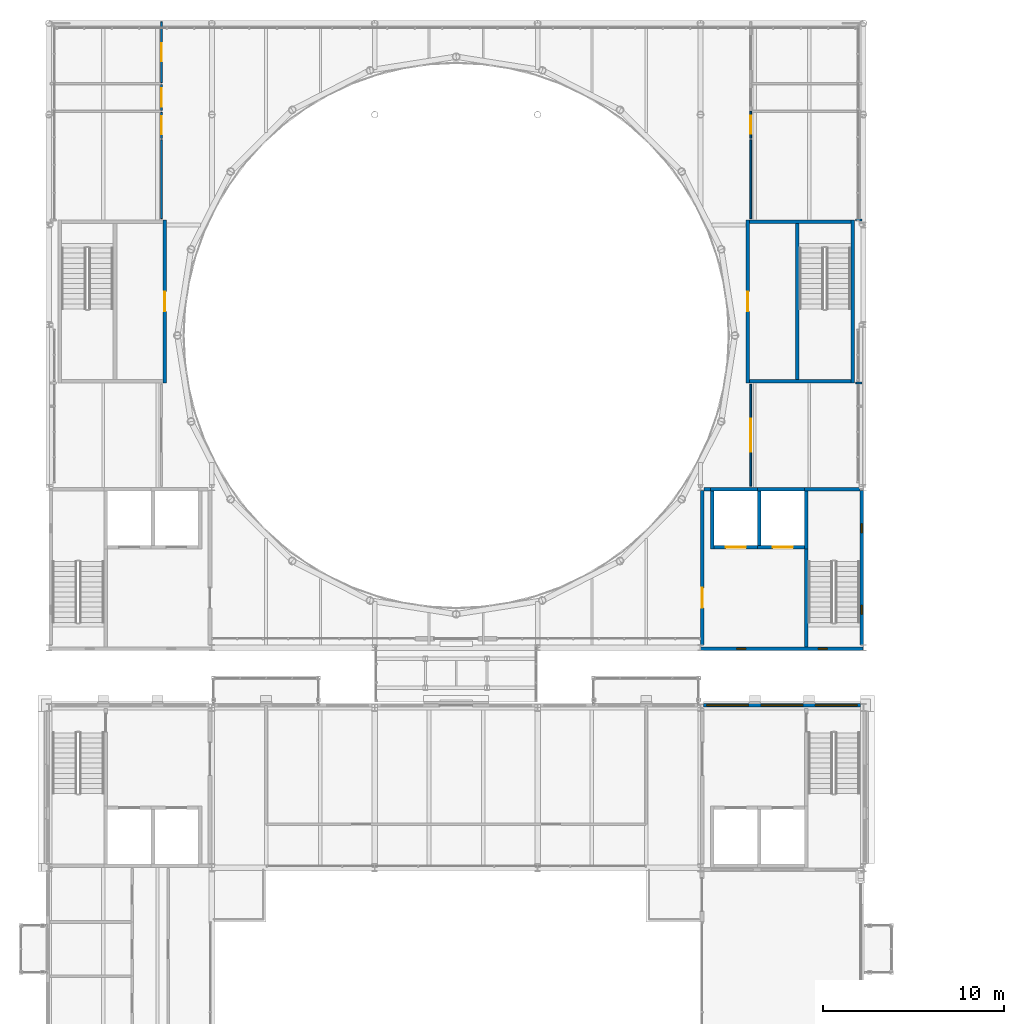
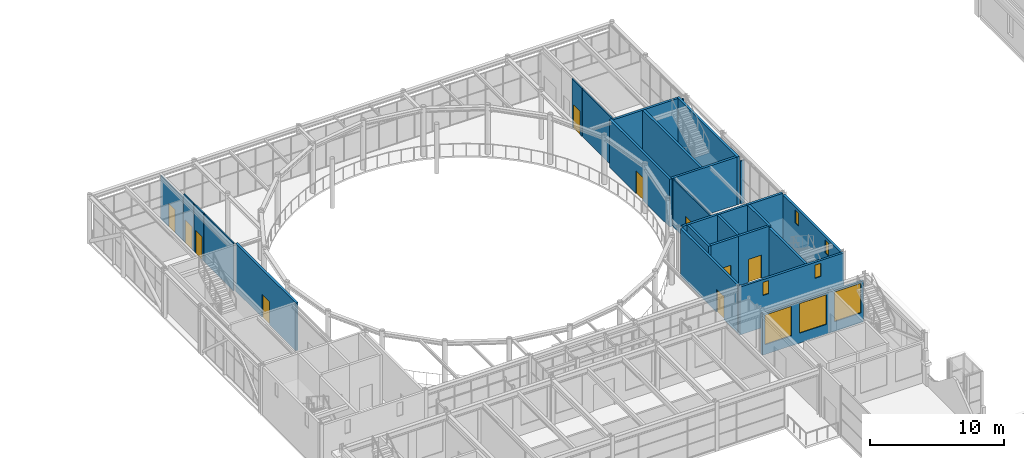
# One storey, part 73 of 111: 29 walls, 10 doors, 7 windows, 17 openings.
"""IFC4 building model written with IfcOpenShell, lengths in metres."""

from ifc_helpers import new_model, si_unit, direction, frame, frame_2d, origin, place, context, subcontext, project, spatial, rectangle, extrude, material, layer, layer_set, type_object, element, fill, save


model = new_model("IFC4")

# Units and contexts
model_context = context("Model", 3, precision=1e-05, world=origin(), true_north=direction((0.0, 1.0)))
body_context = subcontext(model_context, "Body", "Model", "MODEL_VIEW")
ifc_project = project(units=[si_unit("LENGTHUNIT", "METRE"), si_unit("AREAUNIT", "SQUARE_METRE"), si_unit("VOLUMEUNIT", "CUBIC_METRE"), si_unit("PLANEANGLEUNIT", "RADIAN"), si_unit("MASSUNIT", "GRAM", prefix="KILO")], contexts=[model_context])

# Site, building, storey
site_placement = place(None, origin())
site = spatial("IfcSite", under=ifc_project, at=site_placement, CompositionType="ELEMENT")
building_placement = place(site_placement, origin())
building = spatial("IfcBuilding", under=site, at=building_placement, Name="Kallimachos Central Library", CompositionType="ELEMENT")
storey_placement = place(building_placement, frame((0.0, 0.0, 14.39990234375)))
storey = spatial("IfcBuildingStorey", under=building, at=storey_placement, Name="L03", CompositionType="ELEMENT", Elevation=14.39990234375)

# Wall, opening, door
ifc_material_1 = material(Name="Concrete C30/37", Category="concrete")
ifc_layer_1 = layer(ifc_material_1, 0.199951171875)
ifc_layer_set_1 = layer_set([ifc_layer_1], Name="Core wall 200")
wall_type_1 = type_object("IfcWallType", Name="Core wall 200", PredefinedType="SOLIDWALL", material=ifc_layer_set_1)
wall_1_placement = place(storey_placement, frame((101.60009765625, 87.31005859375, 0.0), z_axis=(0.0, 0.0, 1.0), x_axis=(0.0, 1.0, 0.0)))
wall_1 = element("IfcWall", 1, at=wall_1_placement, inside=storey, type_object=wall_type_1, Name="Core wall V1-SE W", PredefinedType="SOLIDWALL", context=body_context, shape_type="SweptSolid", body=[
    extrude(rectangle(XDim=8.530029296875, YDim=0.199951171875, at=frame_2d((4.26513671875, 0.0))), origin(), (0.0, 0.0, 1.0), 4.35009765625),
])
opening_1_placement = place(wall_1_placement, frame((2.0400390625, 0.0, 0.0)))
opening_1 = element("IfcOpeningElement", 2, at=opening_1_placement, cuts=wall_1, Name="Opening D229", PredefinedType="OPENING", context=body_context, shape_type="SweptSolid", body=[
    extrude(rectangle(XDim=1.10009765625, YDim=2.10009765625, at=frame_2d((0.550048828125, 1.050048828125))), frame((0.0, 0.10986328125, 0.0), z_axis=(0.0, -1.0, 0.0), x_axis=(1.0, 0.0, 0.0)), (0.0, 0.0, 1.0), 0.219970703125),
])
ifc_material_2 = material(Name="Steel fire door", Category="steel")
door_type_1 = type_object("IfcDoorType", Name="Fire door EI2 90 1100 x 2100", OperationType="NOTDEFINED", PredefinedType="DOOR", material=ifc_material_2)
door_1_placement = place(opening_1_placement, frame((1.10009765625, 0.0, 0.0), z_axis=(0.0, 0.0, 1.0), x_axis=(-1.0, 0.0, 0.0)))
door_1 = element("IfcDoor", 3, at=door_1_placement, inside=storey, type_object=door_type_1, Name="V1-DOR-L03-007", OperationType="SINGLE_SWING_LEFT", OverallHeight=2.10009765625, OverallWidth=1.10009765625, PredefinedType="DOOR", context=body_context, shape_type="SweptSolid", body=[
    extrude(rectangle(XDim=1.10009765625, YDim=2.10009765625, at=frame_2d((0.550048828125, 1.050048828125))), frame((0.0, 0.02490234375, 0.0), z_axis=(0.0, -1.0, 0.0), x_axis=(1.0, 0.0, 0.0)), (0.0, 0.0, 1.0), 0.050048828125),
])
fill(opening_1, door_1)

# Walls
wall_2_placement = place(storey_placement, frame((101.699951171875, 95.89990234375, 0.0), z_axis=(0.0, 0.0, 1.0), x_axis=(1.0, 0.0, 0.0)))
element("IfcWall", 4, at=wall_2_placement, inside=storey, type_object=wall_type_1, Name="Core wall V1-SE N", PredefinedType="SOLIDWALL", context=body_context, shape_type="SweptSolid", body=[
    extrude(rectangle(XDim=0.35009765625, YDim=0.199951171875, at=frame_2d((0.175048828125, 0.0))), origin(), (0.0, 0.0, 1.0), 4.5),
])
wall_3_placement = place(storey_placement, frame((107.25, 95.89990234375, 0.0), z_axis=(0.0, 0.0, 1.0), x_axis=(1.0, 0.0, 0.0)))
element("IfcWall", 5, at=wall_3_placement, inside=storey, type_object=wall_type_1, Name="Core wall V1-SE N", PredefinedType="SOLIDWALL", context=body_context, shape_type="SweptSolid", body=[
    extrude(rectangle(XDim=3.050048828125, YDim=0.199951171875, at=frame_2d((1.52490234375, 0.0))), origin(), (0.0, 0.0, 1.0), 4.5),
])
wall_4_placement = place(storey_placement, frame((107.35009765625, 87.199951171875, 0.0), z_axis=(0.0, 0.0, 1.0), x_axis=(0.0, 1.0, 0.0)))
element("IfcWall", 6, at=wall_4_placement, inside=storey, type_object=wall_type_1, Name="Stair wall V1-SE", PredefinedType="SOLIDWALL", context=body_context, shape_type="SweptSolid", body=[
    extrude(rectangle(XDim=5.400146484375, YDim=0.199951171875, at=frame_2d((2.7001953125, 0.0))), origin(), (0.0, 0.0, 1.0), 4.35009765625),
])

# Wall, opening, door
wall_5_placement = place(storey_placement, frame((71.89990234375, 101.77490234375, 0.0), z_axis=(0.0, 0.0, 1.0), x_axis=(0.0, 1.0, 0.0)))
wall_5 = element("IfcWall", 7, at=wall_5_placement, inside=storey, type_object=wall_type_1, Name="Core wall V1-NW E", PredefinedType="SOLIDWALL", context=body_context, shape_type="SweptSolid", body=[
    extrude(rectangle(XDim=9.0, YDim=0.199951171875, at=frame_2d((4.5, 0.0))), origin(), (0.0, 0.0, 1.0), 4.35009765625),
])
opening_2_placement = place(wall_5_placement, frame((3.949951171875, 0.0, 0.0)))
opening_2 = element("IfcOpeningElement", 8, at=opening_2_placement, cuts=wall_5, Name="Opening D235", PredefinedType="OPENING", context=body_context, shape_type="SweptSolid", body=[
    extrude(rectangle(XDim=1.10009765625, YDim=2.10009765625, at=frame_2d((0.550048828125, 1.050048828125))), frame((0.0, 0.10986328125, 0.0), z_axis=(0.0, -1.0, 0.0), x_axis=(1.0, 0.0, 0.0)), (0.0, 0.0, 1.0), 0.219970703125),
])
door_2_placement = place(opening_2_placement, origin())
door_2 = element("IfcDoor", 9, at=door_2_placement, inside=storey, type_object=door_type_1, Name="V1-DOR-L03-008", OperationType="SINGLE_SWING_RIGHT", OverallHeight=2.10009765625, OverallWidth=1.10009765625, PredefinedType="DOOR", context=body_context, shape_type="SweptSolid", body=[
    extrude(rectangle(XDim=1.10009765625, YDim=2.10009765625, at=frame_2d((0.550048828125, 1.050048828125))), frame((0.0, 0.02490234375, 0.0), z_axis=(0.0, -1.0, 0.0), x_axis=(1.0, 0.0, 0.0)), (0.0, 0.0, 1.0), 0.050048828125),
])
fill(opening_2, door_2)

wall_6_placement = place(storey_placement, frame((104.10009765625, 101.77490234375, 0.0), z_axis=(0.0, 0.0, 1.0), x_axis=(0.0, 1.0, 0.0)))
wall_6 = element("IfcWall", 10, at=wall_6_placement, inside=storey, type_object=wall_type_1, Name="Core wall V1-NE W", PredefinedType="SOLIDWALL", context=body_context, shape_type="SweptSolid", body=[
    extrude(rectangle(XDim=9.0, YDim=0.199951171875, at=frame_2d((4.5, 0.0))), origin(), (0.0, 0.0, 1.0), 4.35009765625),
])
opening_3_placement = place(wall_6_placement, frame((3.949951171875, 0.0, 0.0)))
opening_3 = element("IfcOpeningElement", 11, at=opening_3_placement, cuts=wall_6, Name="Opening D241", PredefinedType="OPENING", context=body_context, shape_type="SweptSolid", body=[
    extrude(rectangle(XDim=1.10009765625, YDim=2.10009765625, at=frame_2d((0.550048828125, 1.050048828125))), frame((0.0, 0.10986328125, 0.0), z_axis=(0.0, -1.0, 0.0), x_axis=(1.0, 0.0, 0.0)), (0.0, 0.0, 1.0), 0.219970703125),
])
door_3_placement = place(opening_3_placement, frame((1.10009765625, 0.0, 0.0), z_axis=(0.0, 0.0, 1.0), x_axis=(-1.0, 0.0, 0.0)))
door_3 = element("IfcDoor", 12, at=door_3_placement, inside=storey, type_object=door_type_1, Name="V1-DOR-L03-009", OperationType="SINGLE_SWING_LEFT", OverallHeight=2.10009765625, OverallWidth=1.10009765625, PredefinedType="DOOR", context=body_context, shape_type="SweptSolid", body=[
    extrude(rectangle(XDim=1.10009765625, YDim=2.10009765625, at=frame_2d((0.550048828125, 1.050048828125))), frame((0.0, 0.02490234375, 0.0), z_axis=(0.0, -1.0, 0.0), x_axis=(1.0, 0.0, 0.0)), (0.0, 0.0, 1.0), 0.050048828125),
])
fill(opening_3, door_3)

# Walls
wall_7_placement = place(storey_placement, frame((109.89990234375, 101.77490234375, 0.0), z_axis=(0.0, 0.0, 1.0), x_axis=(0.0, 1.0, 0.0)))
element("IfcWall", 13, at=wall_7_placement, inside=storey, type_object=wall_type_1, Name="Core wall V1-NE E", PredefinedType="SOLIDWALL", context=body_context, shape_type="SweptSolid", body=[
    extrude(rectangle(XDim=9.0, YDim=0.199951171875, at=frame_2d((4.5, 0.0))), origin(), (0.0, 0.0, 1.0), 4.35009765625),
])
for number, where, z_axis, x_axis, name in (
    (14, (104.199951171875, 101.875, 0.0), (0.0, 0.0, 1.0), (1.0, 0.0, 0.0), "Core wall V1-NE S"),
    (15, (104.199951171875, 110.675048828125, 0.0), (0.0, 0.0, 1.0), (1.0, 0.0, 0.0), "Core wall V1-NE N"),
):
    element("IfcWall", number, at=place(storey_placement, frame(where, z_axis=z_axis, x_axis=x_axis)), inside=storey, type_object=wall_type_1, Name=name, PredefinedType="SOLIDWALL", context=body_context, shape_type="SweptSolid", body=[
        extrude(rectangle(XDim=5.60009765625, YDim=0.199951171875, at=frame_2d((2.800048828125, 0.0))), origin(), (0.0, 0.0, 1.0), 4.35009765625),
    ])
wall_8_placement = place(storey_placement, frame((106.85009765625, 101.97509765625, 0.0), z_axis=(0.0, 0.0, 1.0), x_axis=(0.0, 1.0, 0.0)))
element("IfcWall", 16, at=wall_8_placement, inside=storey, type_object=wall_type_1, Name="Stair wall V1-NE", PredefinedType="SOLIDWALL", context=body_context, shape_type="SweptSolid", body=[
    extrude(rectangle(XDim=8.599853515625, YDim=0.199951171875, at=frame_2d((4.2998046875, 0.0))), origin(), (0.0, 0.0, 1.0), 4.35009765625),
])
ifc_material_3 = material(Name="Concrete C30/37", Category="concrete")
ifc_layer_2 = layer(ifc_material_3, 0.199951171875)
ifc_layer_set_2 = layer_set([ifc_layer_2], Name="Lift shaft wall 200")
wall_type_2 = type_object("IfcWallType", Name="Lift shaft wall 200", PredefinedType="SOLIDWALL", material=ifc_layer_set_2)
wall_9_placement = place(storey_placement, frame((104.64990234375, 95.89990234375, 0.0), z_axis=(0.0, 0.0, 1.0), x_axis=(1.0, 0.0, 0.0)))
element("IfcWall", 17, at=wall_9_placement, inside=storey, type_object=wall_type_2, Name="V1-WAL-L03-008", PredefinedType="SOLIDWALL", context=body_context, shape_type="SweptSolid", body=[
    extrude(rectangle(XDim=2.60009765625, YDim=0.199951171875, at=frame_2d((1.300048828125, 0.0))), origin(), (0.0, 0.0, 1.0), 4.5),
])

# Wall, opening, door
wall_10_placement = place(storey_placement, frame((104.64990234375, 92.699951171875, 0.0), z_axis=(0.0, 0.0, 1.0), x_axis=(1.0, 0.0, 0.0)))
wall_10 = element("IfcWall", 18, at=wall_10_placement, inside=storey, type_object=wall_type_2, Name="V1-WAL-L03-009", PredefinedType="SOLIDWALL", context=body_context, shape_type="SweptSolid", body=[
    extrude(rectangle(XDim=2.60009765625, YDim=0.199951171875, at=frame_2d((1.300048828125, 0.0))), origin(), (0.0, 0.0, 1.0), 4.5),
])
opening_4_placement = place(wall_10_placement, frame((0.85009765625, 0.0, 0.0)))
opening_4 = element("IfcOpeningElement", 19, at=opening_4_placement, cuts=wall_10, Name="Opening LD1100", PredefinedType="OPENING", context=body_context, shape_type="SweptSolid", body=[
    extrude(rectangle(XDim=1.10009765625, YDim=2.10009765625, at=frame_2d((0.550048828125, 1.050048828125))), frame((0.0, 0.10986328125, 0.0), z_axis=(0.0, -1.0, 0.0), x_axis=(1.0, 0.0, 0.0)), (0.0, 0.0, 1.0), 0.219970703125),
])
ifc_material_4 = material(Name="Stainless steel", Category="steel")
door_type_2 = type_object("IfcDoorType", Name="Lift landing door 1100 x 2100", OperationType="SLIDING_TO_LEFT", PredefinedType="DOOR", material=ifc_material_4)
door_4_placement = place(opening_4_placement, origin())
door_4 = element("IfcDoor", 20, at=door_4_placement, inside=storey, type_object=door_type_2, Name="LF3 landing door L03", OperationType="SLIDING_TO_LEFT", OverallHeight=2.10009765625, OverallWidth=1.10009765625, PredefinedType="DOOR", context=body_context, shape_type="SweptSolid", body=[
    extrude(rectangle(XDim=1.10009765625, YDim=2.10009765625, at=frame_2d((0.550048828125, 1.050048828125))), frame((0.0, 0.02490234375, 0.0), z_axis=(0.0, -1.0, 0.0), x_axis=(1.0, 0.0, 0.0)), (0.0, 0.0, 1.0), 0.050048828125),
])
fill(opening_4, door_4)

# Walls
for number, where, z_axis, x_axis, name in (
    (21, (104.75, 92.60009765625, 0.0), (0.0, 0.0, 1.0), (0.0, 1.0, 0.0), "V1-WAL-L03-010"),
    (22, (107.35009765625, 92.60009765625, 0.0), (0.0, 0.0, 1.0), (0.0, 1.0, 0.0), "V1-WAL-L03-011"),
):
    element("IfcWall", number, at=place(storey_placement, frame(where, z_axis=z_axis, x_axis=x_axis)), inside=storey, type_object=wall_type_2, Name=name, PredefinedType="SOLIDWALL", context=body_context, shape_type="SweptSolid", body=[
        extrude(rectangle(XDim=3.39990234375, YDim=0.199951171875, at=frame_2d((1.699951171875, 0.0))), origin(), (0.0, 0.0, 1.0), 4.5),
    ])
wall_11_placement = place(storey_placement, frame((102.050048828125, 95.89990234375, 0.0), z_axis=(0.0, 0.0, 1.0), x_axis=(1.0, 0.0, 0.0)))
element("IfcWall", 23, at=wall_11_placement, inside=storey, type_object=wall_type_2, Name="V1-WAL-L03-012", PredefinedType="SOLIDWALL", context=body_context, shape_type="SweptSolid", body=[
    extrude(rectangle(XDim=2.599853515625, YDim=0.199951171875, at=frame_2d((1.2998046875, 0.0))), origin(), (0.0, 0.0, 1.0), 4.5),
])

# Wall, opening, door
wall_12_placement = place(storey_placement, frame((102.25, 92.699951171875, 0.0), z_axis=(0.0, 0.0, 1.0), x_axis=(1.0, 0.0, 0.0)))
wall_12 = element("IfcWall", 24, at=wall_12_placement, inside=storey, type_object=wall_type_2, Name="V1-WAL-L03-013", PredefinedType="SOLIDWALL", context=body_context, shape_type="SweptSolid", body=[
    extrude(rectangle(XDim=2.39990234375, YDim=0.199951171875, at=frame_2d((1.199951171875, 0.0))), origin(), (0.0, 0.0, 1.0), 4.5),
])
opening_5_placement = place(wall_12_placement, frame((0.64990234375, 0.0, 0.0)))
opening_5 = element("IfcOpeningElement", 25, at=opening_5_placement, cuts=wall_12, Name="Opening LD1100", PredefinedType="OPENING", context=body_context, shape_type="SweptSolid", body=[
    extrude(rectangle(XDim=1.10009765625, YDim=2.10009765625, at=frame_2d((0.550048828125, 1.050048828125))), frame((0.0, 0.10986328125, 0.0), z_axis=(0.0, -1.0, 0.0), x_axis=(1.0, 0.0, 0.0)), (0.0, 0.0, 1.0), 0.219970703125),
])
door_5_placement = place(opening_5_placement, origin())
door_5 = element("IfcDoor", 26, at=door_5_placement, inside=storey, type_object=door_type_2, Name="LF4 landing door L03", OperationType="SLIDING_TO_LEFT", OverallHeight=2.10009765625, OverallWidth=1.10009765625, PredefinedType="DOOR", context=body_context, shape_type="SweptSolid", body=[
    extrude(rectangle(XDim=1.10009765625, YDim=2.10009765625, at=frame_2d((0.550048828125, 1.050048828125))), frame((0.0, 0.02490234375, 0.0), z_axis=(0.0, -1.0, 0.0), x_axis=(1.0, 0.0, 0.0)), (0.0, 0.0, 1.0), 0.050048828125),
])
fill(opening_5, door_5)

# Wall
wall_13_placement = place(storey_placement, frame((102.14990234375, 92.60009765625, 0.0), z_axis=(0.0, 0.0, 1.0), x_axis=(0.0, 1.0, 0.0)))
element("IfcWall", 27, at=wall_13_placement, inside=storey, type_object=wall_type_2, Name="V1-WAL-L03-014", PredefinedType="SOLIDWALL", context=body_context, shape_type="SweptSolid", body=[
    extrude(rectangle(XDim=3.39990234375, YDim=0.199951171875, at=frame_2d((1.699951171875, 0.0))), origin(), (0.0, 0.0, 1.0), 4.5),
])

# Wall, opening, door
ifc_material_5 = material(Name="Plasterboard on steel studs", Category="steel")
ifc_layer_3 = layer(ifc_material_5, 0.10009765625)
ifc_layer_set_3 = layer_set([ifc_layer_3], Name="Partition 100")
wall_type_3 = type_object("IfcWallType", Name="Partition 100", PredefinedType="PARTITIONING", material=ifc_layer_set_3)
wall_14_placement = place(storey_placement, frame((71.719970703125, 116.73046875, 0.0), z_axis=(0.0, 0.0, 1.0), x_axis=(0.0, -1.0, 0.0)))
wall_14 = element("IfcWall", 28, at=wall_14_placement, inside=storey, type_object=wall_type_3, Name="Partition", PredefinedType="PARTITIONING", context=body_context, shape_type="SweptSolid", body=[
    extrude(rectangle(XDim=1.443115234375, YDim=0.10009765625, at=frame_2d((0.7216796875, 0.0))), origin(), (0.0, 0.0, 1.0), 4.35009765625),
])
opening_6_placement = place(wall_14_placement, frame((0.2216796875, 0.0, 0.0)))
opening_6 = element("IfcOpeningElement", 29, at=opening_6_placement, cuts=wall_14, Name="Opening D273", PredefinedType="OPENING", context=body_context, shape_type="SweptSolid", body=[
    extrude(rectangle(XDim=1.0, YDim=2.10009765625, at=frame_2d((0.5, 1.050048828125))), frame((0.0, 0.06005859375, 0.0), z_axis=(0.0, -1.0, 0.0), x_axis=(1.0, 0.0, 0.0)), (0.0, 0.0, 1.0), 0.1201171875),
])
ifc_material_6 = material(Name="Oak veneered door leaf")
door_type_3 = type_object("IfcDoorType", Name="Single leaf door EI2 30 1000 x 2100", OperationType="NOTDEFINED", PredefinedType="DOOR", material=ifc_material_6)
door_6_placement = place(opening_6_placement, frame((1.0, 0.0, 0.0), z_axis=(0.0, 0.0, 1.0), x_axis=(-1.0, 0.0, 0.0)))
door_6 = element("IfcDoor", 30, at=door_6_placement, inside=storey, type_object=door_type_3, Name="V1-DOR-L03-011", OperationType="SINGLE_SWING_LEFT", OverallHeight=2.10009765625, OverallWidth=1.0, PredefinedType="DOOR", context=body_context, shape_type="SweptSolid", body=[
    extrude(rectangle(XDim=1.0, YDim=2.10009765625, at=frame_2d((0.5, 1.050048828125))), frame((0.0, 0.02490234375, 0.0), z_axis=(0.0, -1.0, 0.0), x_axis=(1.0, 0.0, 0.0)), (0.0, 0.0, 1.0), 0.050048828125),
])
fill(opening_6, door_6)

# Wall
wall_15_placement = place(storey_placement, frame((71.719970703125, 115.207275390625, 0.0), z_axis=(0.0, 0.0, 1.0), x_axis=(0.0, -1.0, 0.0)))
element("IfcWall", 31, at=wall_15_placement, inside=storey, type_object=wall_type_3, Name="Partition", PredefinedType="PARTITIONING", context=body_context, shape_type="SweptSolid", body=[
    extrude(rectangle(XDim=4.352294921875, YDim=0.10009765625, at=frame_2d((2.17626953125, 0.0))), origin(), (0.0, 0.0, 1.0), 4.35009765625),
])

# Wall, opening, door
wall_16_placement = place(storey_placement, frame((71.719970703125, 118.263671875, 0.0), z_axis=(0.0, 0.0, 1.0), x_axis=(0.0, -1.0, 0.0)))
wall_16 = element("IfcWall", 32, at=wall_16_placement, inside=storey, type_object=wall_type_3, Name="Partition", PredefinedType="PARTITIONING", context=body_context, shape_type="SweptSolid", body=[
    extrude(rectangle(XDim=1.43310546875, YDim=0.10009765625, at=frame_2d((0.716552734375, 0.0))), origin(), (0.0, 0.0, 1.0), 4.35009765625),
])
opening_7_placement = place(wall_16_placement, frame((0.216552734375, 0.0, 0.0)))
opening_7 = element("IfcOpeningElement", 33, at=opening_7_placement, cuts=wall_16, Name="Opening D274", PredefinedType="OPENING", context=body_context, shape_type="SweptSolid", body=[
    extrude(rectangle(XDim=1.0, YDim=2.10009765625, at=frame_2d((0.5, 1.050048828125))), frame((0.0, 0.06005859375, 0.0), z_axis=(0.0, -1.0, 0.0), x_axis=(1.0, 0.0, 0.0)), (0.0, 0.0, 1.0), 0.1201171875),
])
door_7_placement = place(opening_7_placement, frame((1.0, 0.0, 0.0), z_axis=(0.0, 0.0, 1.0), x_axis=(-1.0, 0.0, 0.0)))
door_7 = element("IfcDoor", 34, at=door_7_placement, inside=storey, type_object=door_type_3, Name="V1-DOR-L03-012", OperationType="SINGLE_SWING_RIGHT", OverallHeight=2.10009765625, OverallWidth=1.0, PredefinedType="DOOR", context=body_context, shape_type="SweptSolid", body=[
    extrude(rectangle(XDim=1.0, YDim=2.10009765625, at=frame_2d((0.5, 1.050048828125))), frame((0.0, 0.02490234375, 0.0), z_axis=(0.0, -1.0, 0.0), x_axis=(1.0, 0.0, 0.0)), (0.0, 0.0, 1.0), 0.050048828125),
])
fill(opening_7, door_7)

wall_17_placement = place(storey_placement, frame((71.719970703125, 121.719970703125, 0.0), z_axis=(0.0, 0.0, 1.0), x_axis=(0.0, -1.0, 0.0)))
wall_17 = element("IfcWall", 35, at=wall_17_placement, inside=storey, type_object=wall_type_3, Name="Partition", PredefinedType="PARTITIONING", context=body_context, shape_type="SweptSolid", body=[
    extrude(rectangle(XDim=3.3564453125, YDim=0.10009765625, at=frame_2d((1.67822265625, 0.0))), origin(), (0.0, 0.0, 1.0), 3.9501953125),
])
opening_8_placement = place(wall_17_placement, frame((1.17822265625, 0.0, 0.0)))
opening_8 = element("IfcOpeningElement", 36, at=opening_8_placement, cuts=wall_17, Name="Opening D275", PredefinedType="OPENING", context=body_context, shape_type="SweptSolid", body=[
    extrude(rectangle(XDim=1.0, YDim=2.10009765625, at=frame_2d((0.5, 1.050048828125))), frame((0.0, 0.06005859375, 0.0), z_axis=(0.0, -1.0, 0.0), x_axis=(1.0, 0.0, 0.0)), (0.0, 0.0, 1.0), 0.1201171875),
])
door_8_placement = place(opening_8_placement, frame((1.0, 0.0, 0.0), z_axis=(0.0, 0.0, 1.0), x_axis=(-1.0, 0.0, 0.0)))
door_8 = element("IfcDoor", 37, at=door_8_placement, inside=storey, type_object=door_type_3, Name="V1-DOR-L03-013", OperationType="SINGLE_SWING_RIGHT", OverallHeight=2.10009765625, OverallWidth=1.0, PredefinedType="DOOR", context=body_context, shape_type="SweptSolid", body=[
    extrude(rectangle(XDim=1.0, YDim=2.10009765625, at=frame_2d((0.5, 1.050048828125))), frame((0.0, 0.02490234375, 0.0), z_axis=(0.0, -1.0, 0.0), x_axis=(1.0, 0.0, 0.0)), (0.0, 0.0, 1.0), 0.050048828125),
])
fill(opening_8, door_8)

wall_18_placement = place(storey_placement, frame((104.280029296875, 96.080078125, 0.0), z_axis=(0.0, 0.0, 1.0), x_axis=(0.0, 1.0, 0.0)))
wall_18 = element("IfcWall", 38, at=wall_18_placement, inside=storey, type_object=wall_type_3, Name="Partition", PredefinedType="PARTITIONING", context=body_context, shape_type="SweptSolid", body=[
    extrude(rectangle(XDim=5.614990234375, YDim=0.10009765625, at=frame_2d((2.8076171875, 0.0))), origin(), (0.0, 0.0, 1.0), 4.35009765625),
])
opening_9_placement = place(wall_18_placement, frame((1.907470703125, 0.0, 0.0)))
opening_9 = element("IfcOpeningElement", 39, at=opening_9_placement, cuts=wall_18, Name="Opening D276", PredefinedType="OPENING", context=body_context, shape_type="SweptSolid", body=[
    extrude(rectangle(XDim=1.800048828125, YDim=2.10009765625, at=frame_2d((0.89990234375, 1.050048828125))), frame((0.0, 0.06005859375, 0.0), z_axis=(0.0, -1.0, 0.0), x_axis=(1.0, 0.0, 0.0)), (0.0, 0.0, 1.0), 0.1201171875),
])
ifc_material_7 = material(Name="Oak veneered door leaf")
door_type_4 = type_object("IfcDoorType", Name="Double leaf door EI2 30 1800 x 2100", OperationType="DOUBLE_DOOR_SINGLE_SWING", PredefinedType="DOOR", material=ifc_material_7)
door_9_placement = place(opening_9_placement, origin())
door_9 = element("IfcDoor", 40, at=door_9_placement, inside=storey, type_object=door_type_4, Name="V1-DOR-L03-014", OperationType="DOUBLE_DOOR_SINGLE_SWING", OverallHeight=2.10009765625, OverallWidth=1.800048828125, PredefinedType="DOOR", context=body_context, shape_type="SweptSolid", body=[
    extrude(rectangle(XDim=1.800048828125, YDim=2.10009765625, at=frame_2d((0.89990234375, 1.050048828125))), frame((0.0, 0.02490234375, 0.0), z_axis=(0.0, -1.0, 0.0), x_axis=(1.0, 0.0, 0.0)), (0.0, 0.0, 1.0), 0.050048828125),
])
fill(opening_9, door_9)

# Walls
wall_19_placement = place(storey_placement, frame((110.080078125, 101.77490234375, 0.0), z_axis=(0.0, 0.0, 1.0), x_axis=(1.0, 0.0, 0.0)))
element("IfcWall", 41, at=wall_19_placement, inside=storey, type_object=wall_type_3, Name="Partition", PredefinedType="PARTITIONING", context=body_context, shape_type="SweptSolid", body=[
    extrude(rectangle(XDim=0.33984375, YDim=0.10009765625, at=frame_2d((0.169921875, 0.0))), origin(), (0.0, 0.0, 1.0), 3.91015625),
])
wall_20_placement = place(storey_placement, frame((110.419921875, 110.77490234375, 0.0), z_axis=(0.0, 0.0, 1.0), x_axis=(-1.0, 0.0, 0.0)))
element("IfcWall", 42, at=wall_20_placement, inside=storey, type_object=wall_type_3, Name="Partition", PredefinedType="PARTITIONING", context=body_context, shape_type="SweptSolid", body=[
    extrude(rectangle(XDim=0.33984375, YDim=0.10009765625, at=frame_2d((0.169921875, 0.0))), origin(), (0.0, 0.0, 1.0), 4.0400390625),
])
wall_21_placement = place(storey_placement, frame((104.280029296875, 110.85498046875, 0.0), z_axis=(0.0, 0.0, 1.0), x_axis=(0.0, 1.0, 0.0)))
element("IfcWall", 43, at=wall_21_placement, inside=storey, type_object=wall_type_3, Name="Partition", PredefinedType="PARTITIONING", context=body_context, shape_type="SweptSolid", body=[
    extrude(rectangle(XDim=4.352294921875, YDim=0.10009765625, at=frame_2d((2.17626953125, 0.0))), origin(), (0.0, 0.0, 1.0), 4.35009765625),
])

# Wall, opening, door
wall_22_placement = place(storey_placement, frame((104.280029296875, 115.287353515625, 0.0), z_axis=(0.0, 0.0, 1.0), x_axis=(0.0, 1.0, 0.0)))
wall_22 = element("IfcWall", 44, at=wall_22_placement, inside=storey, type_object=wall_type_3, Name="Partition", PredefinedType="PARTITIONING", context=body_context, shape_type="SweptSolid", body=[
    extrude(rectangle(XDim=1.4931640625, YDim=0.10009765625, at=frame_2d((0.74658203125, 0.0))), origin(), (0.0, 0.0, 1.0), 4.35009765625),
])
opening_10_placement = place(wall_22_placement, frame((0.24658203125, 0.0, 0.0)))
opening_10 = element("IfcOpeningElement", 45, at=opening_10_placement, cuts=wall_22, Name="Opening D277", PredefinedType="OPENING", context=body_context, shape_type="SweptSolid", body=[
    extrude(rectangle(XDim=1.0, YDim=2.10009765625, at=frame_2d((0.5, 1.050048828125))), frame((0.0, 0.06005859375, 0.0), z_axis=(0.0, -1.0, 0.0), x_axis=(1.0, 0.0, 0.0)), (0.0, 0.0, 1.0), 0.1201171875),
])
door_10_placement = place(opening_10_placement, frame((1.0, 0.0, 0.0), z_axis=(0.0, 0.0, 1.0), x_axis=(-1.0, 0.0, 0.0)))
door_10 = element("IfcDoor", 46, at=door_10_placement, inside=storey, type_object=door_type_3, Name="V1-DOR-L03-015", OperationType="SINGLE_SWING_RIGHT", OverallHeight=2.10009765625, OverallWidth=1.0, PredefinedType="DOOR", context=body_context, shape_type="SweptSolid", body=[
    extrude(rectangle(XDim=1.0, YDim=2.10009765625, at=frame_2d((0.5, 1.050048828125))), frame((0.0, 0.02490234375, 0.0), z_axis=(0.0, -1.0, 0.0), x_axis=(1.0, 0.0, 0.0)), (0.0, 0.0, 1.0), 0.050048828125),
])
fill(opening_10, door_10)

# Wall, openings, windows
ifc_material_8 = material(Name="Concrete C30/37", Category="concrete")
ifc_layer_4 = layer(ifc_material_8, 0.199951171875)
ifc_layer_set_4 = layer_set([ifc_layer_4], Name="Stone-clad core wall 200")
wall_type_4 = type_object("IfcWallType", Name="Stone-clad core wall 200", PredefinedType="SOLIDWALL", material=ifc_layer_set_4)
wall_23_placement = place(storey_placement, frame((110.39990234375, 87.31005859375, 0.0), z_axis=(0.0, 0.0, 1.0), x_axis=(0.0, 1.0, 0.0)))
wall_23 = element("IfcWall", 47, at=wall_23_placement, inside=storey, type_object=wall_type_4, Name="Core wall V1-SE E", PredefinedType="SOLIDWALL", context=body_context, shape_type="SweptSolid", body=[
    extrude(rectangle(XDim=8.530029296875, YDim=0.199951171875, at=frame_2d((4.26513671875, 0.0))), origin(), (0.0, 0.0, 1.0), 4.35009765625),
])
opening_11_placement = place(wall_23_placement, frame((1.68994140625, 0.0, 2.89990234375)))
opening_11 = element("IfcOpeningElement", 48, at=opening_11_placement, cuts=wall_23, Name="Opening W124", PredefinedType="OPENING", context=body_context, shape_type="SweptSolid", body=[
    extrude(rectangle(XDim=0.5, YDim=1.199951171875, at=frame_2d((0.25, 0.60009765625))), frame((0.0, 0.10986328125, 0.0), z_axis=(0.0, -1.0, 0.0), x_axis=(1.0, 0.0, 0.0)), (0.0, 0.0, 1.0), 0.219970703125),
])
opening_12_placement = place(wall_23_placement, frame((6.18994140625, 0.0, 2.89990234375)))
opening_12 = element("IfcOpeningElement", 49, at=opening_12_placement, cuts=wall_23, Name="Opening W125", PredefinedType="OPENING", context=body_context, shape_type="SweptSolid", body=[
    extrude(rectangle(XDim=0.5, YDim=1.199951171875, at=frame_2d((0.25, 0.60009765625))), frame((0.0, 0.10986328125, 0.0), z_axis=(0.0, -1.0, 0.0), x_axis=(1.0, 0.0, 0.0)), (0.0, 0.0, 1.0), 0.219970703125),
])
ifc_material_9 = material(Name="Laminated glass in bronze-anodised aluminium frame", Category="aluminium")
window_type_1 = type_object("IfcWindowType", Name="Stair slot window 500x1200", PartitioningType="SINGLE_PANEL", PredefinedType="WINDOW", material=ifc_material_9)
window_1_placement = place(opening_11_placement, origin())
window_1 = element("IfcWindow", 50, at=window_1_placement, inside=storey, type_object=window_type_1, Name="V1-WIN-L03-005", OverallHeight=1.199951171875, OverallWidth=0.5, PartitioningType="SINGLE_PANEL", PredefinedType="WINDOW", context=body_context, shape_type="SweptSolid", body=[
    extrude(rectangle(XDim=0.5, YDim=1.199951171875, at=frame_2d((0.25, 0.60009765625))), frame((0.0, 0.030029296875, 0.0), z_axis=(0.0, -1.0, 0.0), x_axis=(1.0, 0.0, 0.0)), (0.0, 0.0, 1.0), 0.06005859375),
])
fill(opening_11, window_1)
window_2_placement = place(opening_12_placement, origin())
window_2 = element("IfcWindow", 51, at=window_2_placement, inside=storey, type_object=window_type_1, Name="V1-WIN-L03-006", OverallHeight=1.199951171875, OverallWidth=0.5, PartitioningType="SINGLE_PANEL", PredefinedType="WINDOW", context=body_context, shape_type="SweptSolid", body=[
    extrude(rectangle(XDim=0.5, YDim=1.199951171875, at=frame_2d((0.25, 0.60009765625))), frame((0.0, 0.030029296875, 0.0), z_axis=(0.0, -1.0, 0.0), x_axis=(1.0, 0.0, 0.0)), (0.0, 0.0, 1.0), 0.06005859375),
])
fill(opening_12, window_2)

wall_24_placement = place(storey_placement, frame((101.510986328125, 87.10009765625, 0.0), z_axis=(0.0, 0.0, 1.0), x_axis=(1.0, 0.0, 0.0)))
wall_24 = element("IfcWall", 52, at=wall_24_placement, inside=storey, type_object=wall_type_4, Name="Core wall V1-SE S", PredefinedType="SOLIDWALL", context=body_context, shape_type="SweptSolid", body=[
    extrude(rectangle(XDim=8.97802734375, YDim=0.199951171875, at=frame_2d((4.489013671875, 0.0))), origin(), (0.0, 0.0, 1.0), 4.35009765625),
])
opening_13_placement = place(wall_24_placement, frame((1.989013671875, 0.0, 2.89990234375)))
opening_13 = element("IfcOpeningElement", 53, at=opening_13_placement, cuts=wall_24, Name="Opening W126", PredefinedType="OPENING", context=body_context, shape_type="SweptSolid", body=[
    extrude(rectangle(XDim=0.5, YDim=1.199951171875, at=frame_2d((0.25, 0.60009765625))), frame((0.0, 0.10986328125, 0.0), z_axis=(0.0, -1.0, 0.0), x_axis=(1.0, 0.0, 0.0)), (0.0, 0.0, 1.0), 0.219970703125),
])
opening_14_placement = place(wall_24_placement, frame((6.489013671875, 0.0, 2.89990234375)))
opening_14 = element("IfcOpeningElement", 54, at=opening_14_placement, cuts=wall_24, Name="Opening W127", PredefinedType="OPENING", context=body_context, shape_type="SweptSolid", body=[
    extrude(rectangle(XDim=0.5, YDim=1.199951171875, at=frame_2d((0.25, 0.60009765625))), frame((0.0, 0.10986328125, 0.0), z_axis=(0.0, -1.0, 0.0), x_axis=(1.0, 0.0, 0.0)), (0.0, 0.0, 1.0), 0.219970703125),
])
window_3_placement = place(opening_13_placement, origin())
window_3 = element("IfcWindow", 55, at=window_3_placement, inside=storey, type_object=window_type_1, Name="V1-WIN-L03-007", OverallHeight=1.199951171875, OverallWidth=0.5, PartitioningType="SINGLE_PANEL", PredefinedType="WINDOW", context=body_context, shape_type="SweptSolid", body=[
    extrude(rectangle(XDim=0.5, YDim=1.199951171875, at=frame_2d((0.25, 0.60009765625))), frame((0.0, 0.030029296875, 0.0), z_axis=(0.0, -1.0, 0.0), x_axis=(1.0, 0.0, 0.0)), (0.0, 0.0, 1.0), 0.06005859375),
])
fill(opening_13, window_3)
window_4_placement = place(opening_14_placement, origin())
window_4 = element("IfcWindow", 56, at=window_4_placement, inside=storey, type_object=window_type_1, Name="V1-WIN-L03-008", OverallHeight=1.199951171875, OverallWidth=0.5, PartitioningType="SINGLE_PANEL", PredefinedType="WINDOW", context=body_context, shape_type="SweptSolid", body=[
    extrude(rectangle(XDim=0.5, YDim=1.199951171875, at=frame_2d((0.25, 0.60009765625))), frame((0.0, 0.030029296875, 0.0), z_axis=(0.0, -1.0, 0.0), x_axis=(1.0, 0.0, 0.0)), (0.0, 0.0, 1.0), 0.06005859375),
])
fill(opening_14, window_4)

ifc_material_10 = material(Name="Brick masonry with Pentelic marble cladding", Category="masonry")
ifc_layer_5 = layer(ifc_material_10, 0.199951171875)
ifc_layer_set_5 = layer_set([ifc_layer_5], Name="Stone-clad masonry wall 200, EI 120")
wall_type_5 = type_object("IfcWallType", Name="Stone-clad masonry wall 200, EI 120", PredefinedType="SOLIDWALL", material=ifc_layer_set_5)
wall_25_placement = place(storey_placement, frame((101.653564453125, 83.966064453125, 0.0), z_axis=(0.0, 0.0, 1.0), x_axis=(1.0, 0.0, 0.0)))
wall_25 = element("IfcWall", 57, at=wall_25_placement, inside=storey, type_object=wall_type_5, Name="V4-WAL-L03-019", PredefinedType="SOLIDWALL", context=body_context, shape_type="SweptSolid", body=[
    extrude(rectangle(XDim=8.69287109375, YDim=0.199951171875, at=frame_2d((4.346435546875, 0.0))), origin(), (0.0, 0.0, 1.0), 3.75),
])
opening_15_placement = place(wall_25_placement, frame((0.196533203125, 0.0, 0.89990234375)))
opening_15 = element("IfcOpeningElement", 58, at=opening_15_placement, cuts=wall_25, Name="Opening WN268", PredefinedType="OPENING", context=body_context, shape_type="SweptSolid", body=[
    extrude(rectangle(XDim=2.300048828125, YDim=2.699951171875, at=frame_2d((1.14990234375, 1.35009765625))), frame((0.0, 0.10986328125, 0.0), z_axis=(0.0, -1.0, 0.0), x_axis=(1.0, 0.0, 0.0)), (0.0, 0.0, 1.0), 0.219970703125),
])
opening_16_placement = place(wall_25_placement, frame((3.196533203125, 0.0, 0.89990234375)))
opening_16 = element("IfcOpeningElement", 59, at=opening_16_placement, cuts=wall_25, Name="Opening WN268", PredefinedType="OPENING", context=body_context, shape_type="SweptSolid", body=[
    extrude(rectangle(XDim=2.300048828125, YDim=2.699951171875, at=frame_2d((1.14990234375, 1.35009765625))), frame((0.0, 0.10986328125, 0.0), z_axis=(0.0, -1.0, 0.0), x_axis=(1.0, 0.0, 0.0)), (0.0, 0.0, 1.0), 0.219970703125),
])
opening_17_placement = place(wall_25_placement, frame((6.196533203125, 0.0, 0.89990234375)))
opening_17 = element("IfcOpeningElement", 60, at=opening_17_placement, cuts=wall_25, Name="Opening WN268", PredefinedType="OPENING", context=body_context, shape_type="SweptSolid", body=[
    extrude(rectangle(XDim=2.300048828125, YDim=2.699951171875, at=frame_2d((1.14990234375, 1.35009765625))), frame((0.0, 0.10986328125, 0.0), z_axis=(0.0, -1.0, 0.0), x_axis=(1.0, 0.0, 0.0)), (0.0, 0.0, 1.0), 0.219970703125),
])
ifc_material_11 = material(Name="Anodised aluminium and laminated glass", Category="aluminium")
window_type_2 = type_object("IfcWindowType", Name="Window 2300 x 2700, EI 120", PartitioningType="DOUBLE_PANEL_VERTICAL", PredefinedType="WINDOW", material=ifc_material_11)
window_5_placement = place(opening_15_placement, origin())
window_5 = element("IfcWindow", 61, at=window_5_placement, inside=storey, type_object=window_type_2, Name="V4-WIN-L03-012", OverallHeight=2.699951171875, OverallWidth=2.300048828125, PartitioningType="SINGLE_PANEL", PredefinedType="WINDOW", context=body_context, shape_type="SweptSolid", body=[
    extrude(rectangle(XDim=2.300048828125, YDim=2.699951171875, at=frame_2d((1.14990234375, 1.35009765625))), frame((0.0, 0.030029296875, 0.0), z_axis=(0.0, -1.0, 0.0), x_axis=(1.0, 0.0, 0.0)), (0.0, 0.0, 1.0), 0.06005859375),
])
fill(opening_15, window_5)
window_6_placement = place(opening_16_placement, origin())
window_6 = element("IfcWindow", 62, at=window_6_placement, inside=storey, type_object=window_type_2, Name="V4-WIN-L03-013", OverallHeight=2.699951171875, OverallWidth=2.300048828125, PartitioningType="SINGLE_PANEL", PredefinedType="WINDOW", context=body_context, shape_type="SweptSolid", body=[
    extrude(rectangle(XDim=2.300048828125, YDim=2.699951171875, at=frame_2d((1.14990234375, 1.35009765625))), frame((0.0, 0.030029296875, 0.0), z_axis=(0.0, -1.0, 0.0), x_axis=(1.0, 0.0, 0.0)), (0.0, 0.0, 1.0), 0.06005859375),
])
fill(opening_16, window_6)
window_7_placement = place(opening_17_placement, origin())
window_7 = element("IfcWindow", 63, at=window_7_placement, inside=storey, type_object=window_type_2, Name="V4-WIN-L03-014", OverallHeight=2.699951171875, OverallWidth=2.300048828125, PartitioningType="SINGLE_PANEL", PredefinedType="WINDOW", context=body_context, shape_type="SweptSolid", body=[
    extrude(rectangle(XDim=2.300048828125, YDim=2.699951171875, at=frame_2d((1.14990234375, 1.35009765625))), frame((0.0, 0.030029296875, 0.0), z_axis=(0.0, -1.0, 0.0), x_axis=(1.0, 0.0, 0.0)), (0.0, 0.0, 1.0), 0.06005859375),
])
fill(opening_17, window_7)

save(model, "model.ifc")
